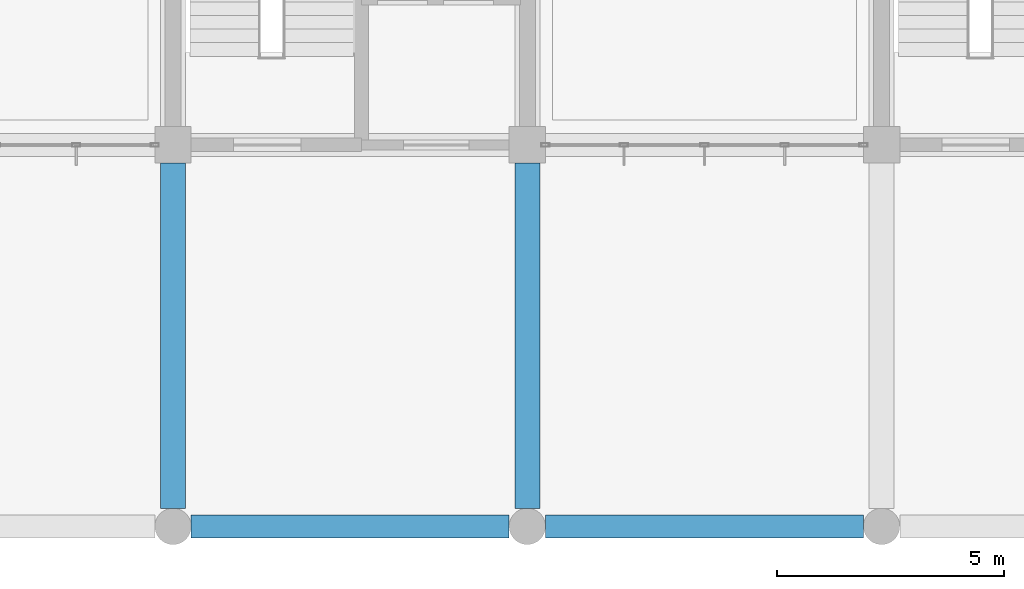
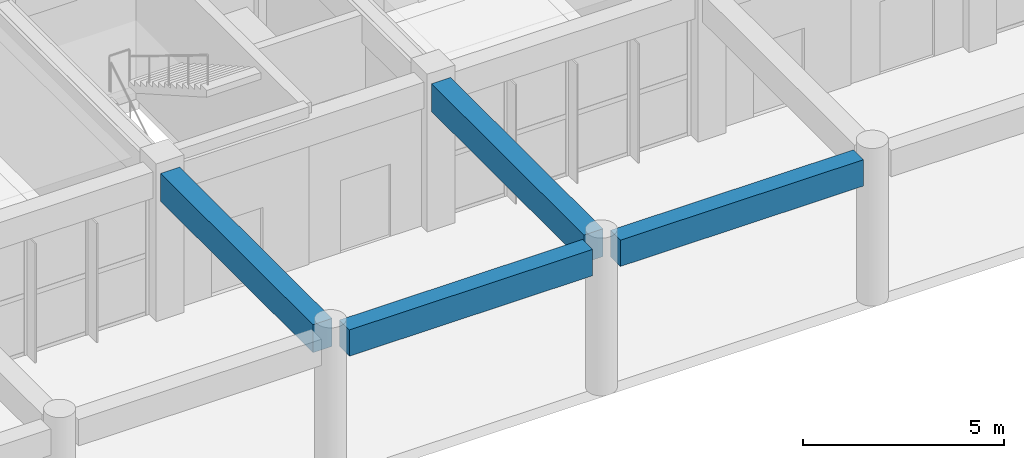
# One storey, part 14 of 139: 4 beams.
"""IFC4 building model written with IfcOpenShell, lengths in metres."""

from ifc_helpers import new_model, si_unit, direction, frame, origin, origin_2d, place, context, subcontext, project, spatial, rectangle, extrude, material, material_profile, profile_set, type_object, element, save


model = new_model("IFC4")

# Units and contexts
model_context = context("Model", 3, precision=1e-05, world=origin(), true_north=direction((0.0, 1.0)))
body_context = subcontext(model_context, "Body", "Model", "MODEL_VIEW")
ifc_project = project(units=[si_unit("LENGTHUNIT", "METRE"), si_unit("AREAUNIT", "SQUARE_METRE"), si_unit("VOLUMEUNIT", "CUBIC_METRE"), si_unit("PLANEANGLEUNIT", "RADIAN"), si_unit("MASSUNIT", "GRAM", prefix="KILO")], contexts=[model_context])

# Site, building, storey
site_placement = place(None, origin())
site = spatial("IfcSite", under=ifc_project, at=site_placement, CompositionType="ELEMENT")
building_placement = place(site_placement, origin())
building = spatial("IfcBuilding", under=site, at=building_placement, Name="Zizhar Promenade General Hospital", CompositionType="ELEMENT")
storey_placement = place(building_placement, origin())
storey = spatial("IfcBuildingStorey", under=building, at=storey_placement, Name="L00", CompositionType="ELEMENT", Elevation=0.0)

# Beams
ifc_material_1 = material(Name="Concrete C35/45", Category="concrete")
ifc_material_profile_1 = material_profile(ifc_material_1, rectangle(XDim=0.5, YDim=0.800048828125, at=origin_2d()))
ifc_profile_set_1 = profile_set([ifc_material_profile_1], Name="Concrete C35/45")
beam_type_1 = type_object("IfcBeamType", Name="BM-RC-500x800", PredefinedType="BEAM", material=ifc_profile_set_1)
for number, where, z_axis, x_axis, name in (
    (1, (78.39990234375, 0.0, 4.070068359375), (1.0, 0.0, 0.0), (0.0, 1.0, 0.0), "Grid Beam X L00 (10-0)"),
    (2, (86.199951171875, 0.0, 4.070068359375), (1.0, 0.0, 0.0), (0.0, 1.0, 0.0), "Grid Beam X L00 (11-0)"),
):
    element("IfcBeam", number, at=place(storey_placement, frame(where, z_axis=z_axis, x_axis=x_axis)), inside=storey, type_object=beam_type_1, Name=name, PredefinedType="BEAM", context=body_context, shape_type="SweptSolid", body=[
        extrude(rectangle(XDim=0.5, YDim=0.800048828125, at=origin_2d()), origin(), (0.0, 0.0, 1.0), 7.0),
    ])
ifc_material_2 = material(Name="Concrete C35/45", Category="concrete")
ifc_material_profile_2 = material_profile(ifc_material_2, rectangle(XDim=0.550048828125, YDim=0.85009765625, at=origin_2d()))
ifc_profile_set_2 = profile_set([ifc_material_profile_2], Name="Concrete C35/45")
beam_type_2 = type_object("IfcBeamType", Name="BM-RC-550x850", PredefinedType="BEAM", material=ifc_profile_set_2)
for number, where, z_axis, x_axis, name in (
    (3, (78.0, 0.39990234375, 4.044921875), (0.0, 1.0, 0.0), (-1.0, 0.0, 0.0), "Grid Beam Y L00 (10-0)"),
    (4, (85.800048828125, 0.39990234375, 4.044921875), (0.0, 1.0, 0.0), (-1.0, 0.0, 0.0), "Grid Beam Y L00 (11-0)"),
):
    element("IfcBeam", number, at=place(storey_placement, frame(where, z_axis=z_axis, x_axis=x_axis)), inside=storey, type_object=beam_type_2, Name=name, PredefinedType="BEAM", context=body_context, shape_type="SweptSolid", body=[
        extrude(rectangle(XDim=0.550048828125, YDim=0.85009765625, at=origin_2d()), origin(), (0.0, 0.0, 1.0), 7.60009765625),
    ])

save(model, "model.ifc")
